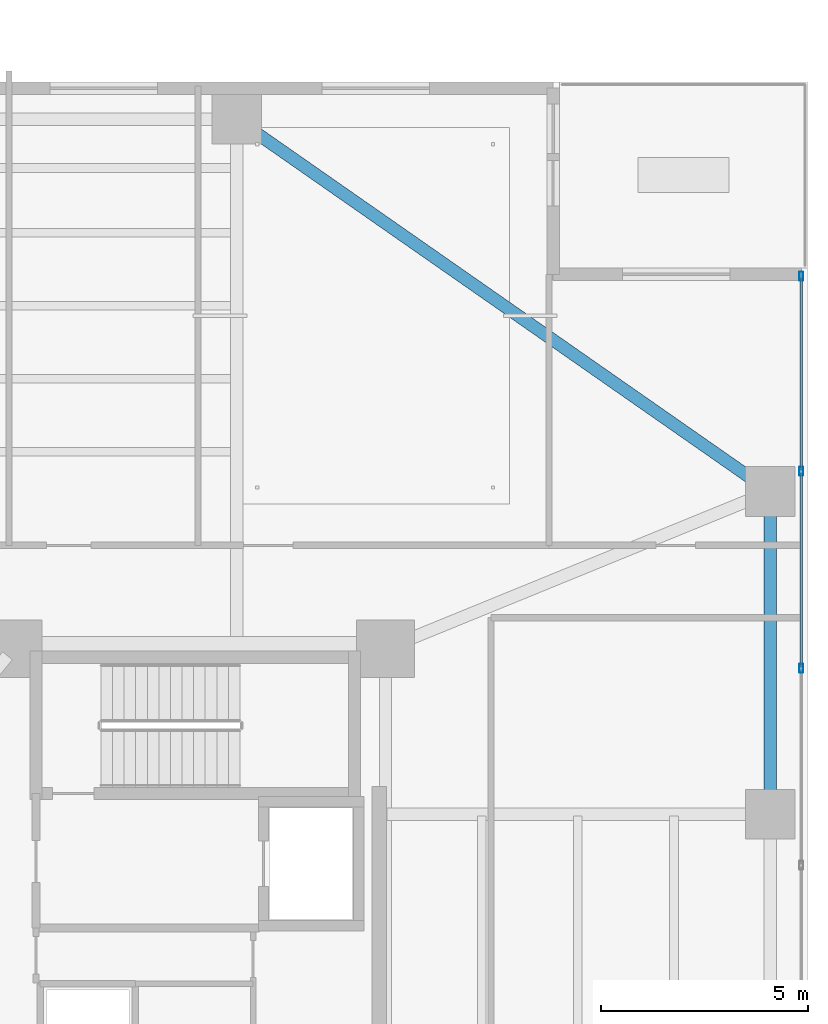
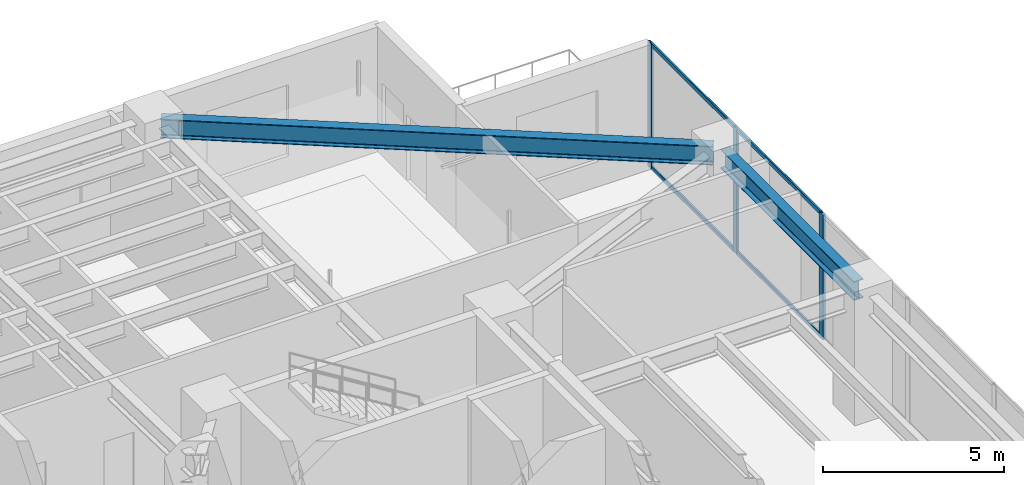
# One storey, part 26 of 40: 7 members, 2 beams, 1 element without a shape of its own.
"""IFC4 building model written with IfcOpenShell, lengths in metres."""

from ifc_helpers import new_model, si_unit, direction, frame, origin, origin_2d, place, context, subcontext, project, spatial, hollow_rectangle, i_section, extrude, material, layer, layer_set, material_profile, profile_set, type_object, element, aggregate, save


model = new_model("IFC4")

# Units and contexts
model_context = context("Model", 3, precision=1e-05, world=origin(), true_north=direction((0.0, 1.0)))
body_context = subcontext(model_context, "Body", "Model", "MODEL_VIEW")
ifc_project = project(units=[si_unit("LENGTHUNIT", "METRE"), si_unit("AREAUNIT", "SQUARE_METRE"), si_unit("VOLUMEUNIT", "CUBIC_METRE"), si_unit("PLANEANGLEUNIT", "RADIAN"), si_unit("MASSUNIT", "GRAM", prefix="KILO")], contexts=[model_context])

# Site, building, storey
site_placement = place(None, origin())
site = spatial("IfcSite", under=ifc_project, at=site_placement, CompositionType="ELEMENT")
building_placement = place(site_placement, origin())
building = spatial("IfcBuilding", under=site, at=building_placement, Name="Tarnavaz Court Tower", CompositionType="ELEMENT")
storey_placement = place(building_placement, frame((0.0, 0.0, 64.199951171875)))
storey = spatial("IfcBuildingStorey", under=building, at=storey_placement, Name="L17", CompositionType="ELEMENT", Elevation=64.199951171875)

# Beams
ifc_material_1 = material(Name="Steel S355", Category="steel")
ifc_material_profile_1 = material_profile(ifc_material_1, i_section(OverallWidth=0.300048828125, OverallDepth=0.639892578125, WebThickness=0.013427734375, FlangeThickness=0.02587890625, FilletRadius=0.027099609375, at=origin_2d()), Name="HEA 650")
ifc_profile_set_1 = profile_set([ifc_material_profile_1], Name="Steel S355")
beam_type = type_object("IfcBeamType", Name="BM-SP-HEA650", PredefinedType="SPANDREL", material=ifc_profile_set_1)
beam_1_placement = place(storey_placement, frame((27.89990234375, 6.219970703125, 3.880126953125), z_axis=(0.0, 1.0, 0.0), x_axis=(-1.0, 0.0, 0.0)))
element("IfcBeam", 1, at=beam_1_placement, inside=storey, type_object=beam_type, Name="L17 Beam PR-PE-3-PE-4", PredefinedType="SPANDREL", context=body_context, shape_type="SweptSolid", body=[
    extrude(i_section(OverallWidth=0.300048828125, OverallDepth=0.639892578125, WebThickness=0.013427734375, FlangeThickness=0.02587890625, FilletRadius=0.027099609375, at=origin_2d()), origin(), (0.0, 0.0, 1.0), 7.360107421875),
])
beam_2_placement = place(storey_placement, frame((15.180419921875, 22.674072265625, 3.880126953125), z_axis=(0.820123643324, -0.572186341729, 0.0), x_axis=(0.572186341729, 0.820123643324, 0.0)))
element("IfcBeam", 2, at=beam_2_placement, inside=storey, type_object=beam_type, Name="L17 Beam PR-PN-4-PE-4", PredefinedType="SPANDREL", context=body_context, shape_type="SweptSolid", body=[
    extrude(i_section(OverallWidth=0.300048828125, OverallDepth=0.639892578125, WebThickness=0.013427734375, FlangeThickness=0.02587890625, FilletRadius=0.027099609375, at=origin_2d()), origin(), (0.0, 0.0, 1.0), 15.289306640625),
])

# Curtain wall, members
ifc_material_2 = material(Name="Anodised Aluminium 6063-T6 and Solar Low-E Glazing", Category="aluminium")
ifc_layer = layer(ifc_material_2, 0.199951171875)
ifc_layer_set = layer_set([ifc_layer], Name="Anodised Aluminium 6063-T6 and Solar Low-E Glazing")
curtain_wall_type = type_object("IfcCurtainWallType", Name="CW-SYS-05", PredefinedType="NOTDEFINED", material=ifc_layer_set)
curtain_wall_placement = place(storey_placement, origin())
curtain_wall = element("IfcCurtainWall", 3, at=curtain_wall_placement, inside=storey, type_object=curtain_wall_type, Name="L17 Sky-Portal Curtain Wall 12", PredefinedType="NOTDEFINED")
ifc_material_3 = material(Name="Anodised Aluminium 6063-T6", Category="aluminium")
ifc_material_profile_2 = material_profile(ifc_material_3, hollow_rectangle(XDim=0.0849609375, YDim=0.219970703125, WallThickness=0.006103515625, InnerFilletRadius=0.006103515625, OuterFilletRadius=0.011962890625, at=origin_2d()), Name="ALU RHS 220X85X6")
ifc_profile_set_2 = profile_set([ifc_material_profile_2], Name="Anodised Aluminium 6063-T6")
member_type_1 = type_object("IfcMemberType", Name="CW-MUL-220", PredefinedType="MULLION", material=ifc_profile_set_2)
member_1_placement = place(storey_placement, frame((28.64990234375, 19.007568359375, 0.0), z_axis=(0.0, 0.0, 1.0), x_axis=(1.0, 0.0, 0.0)))
member_1 = element("IfcMember", 4, at=member_1_placement, type_object=member_type_1, Name="CW mullion 1", PredefinedType="MULLION", context=body_context, shape_type="SweptSolid", body=[
    extrude(hollow_rectangle(XDim=0.0849609375, YDim=0.219970703125, WallThickness=0.006103515625, InnerFilletRadius=0.006103515625, OuterFilletRadius=0.011962890625, at=origin_2d()), origin(), (0.0, 0.0, 1.0), 4.199951171875),
])
member_2_placement = place(storey_placement, frame((28.64990234375, 14.28759765625, 0.0), z_axis=(0.0, 0.0, 1.0), x_axis=(1.0, 0.0, 0.0)))
member_2 = element("IfcMember", 5, at=member_2_placement, type_object=member_type_1, Name="CW mullion 2", PredefinedType="MULLION", context=body_context, shape_type="SweptSolid", body=[
    extrude(hollow_rectangle(XDim=0.0849609375, YDim=0.219970703125, WallThickness=0.006103515625, InnerFilletRadius=0.006103515625, OuterFilletRadius=0.011962890625, at=origin_2d()), origin(), (0.0, 0.0, 1.0), 4.199951171875),
])
member_3_placement = place(storey_placement, frame((28.64990234375, 9.52490234375, 0.0), z_axis=(0.0, 0.0, 1.0), x_axis=(1.0, 0.0, 0.0)))
member_3 = element("IfcMember", 6, at=member_3_placement, type_object=member_type_1, Name="CW mullion 3", PredefinedType="MULLION", context=body_context, shape_type="SweptSolid", body=[
    extrude(hollow_rectangle(XDim=0.0849609375, YDim=0.219970703125, WallThickness=0.006103515625, InnerFilletRadius=0.006103515625, OuterFilletRadius=0.011962890625, at=origin_2d()), origin(), (0.0, 0.0, 1.0), 4.199951171875),
])
ifc_material_profile_3 = material_profile(ifc_material_3, hollow_rectangle(XDim=0.06494140625, YDim=0.139892578125, WallThickness=0.00390625, InnerFilletRadius=0.00390625, OuterFilletRadius=0.008056640625, at=origin_2d()), Name="ALU RHS 140X65X4")
ifc_profile_set_3 = profile_set([ifc_material_profile_3], Name="Anodised Aluminium 6063-T6")
member_type_2 = type_object("IfcMemberType", Name="CW-TRN-140", PredefinedType="USERDEFINED", material=ifc_profile_set_3)
member_4_placement = place(storey_placement, frame((28.64990234375, 18.965087890625, 0.032470703125), z_axis=(0.0, -1.0, 0.0), x_axis=(1.0, 0.0, 0.0)))
member_4 = element("IfcMember", 7, at=member_4_placement, type_object=member_type_2, Name="CW transom 1.1", ObjectType="TRANSOM", PredefinedType="USERDEFINED", context=body_context, shape_type="SweptSolid", body=[
    extrude(hollow_rectangle(XDim=0.06494140625, YDim=0.139892578125, WallThickness=0.00390625, InnerFilletRadius=0.00390625, OuterFilletRadius=0.008056640625, at=origin_2d()), origin(), (0.0, 0.0, 1.0), 4.635009765625),
])
member_5_placement = place(storey_placement, frame((28.64990234375, 18.965087890625, 4.16748046875), z_axis=(0.0, -1.0, 0.0), x_axis=(1.0, 0.0, 0.0)))
member_5 = element("IfcMember", 8, at=member_5_placement, type_object=member_type_2, Name="CW transom 1.2", ObjectType="TRANSOM", PredefinedType="USERDEFINED", context=body_context, shape_type="SweptSolid", body=[
    extrude(hollow_rectangle(XDim=0.06494140625, YDim=0.139892578125, WallThickness=0.00390625, InnerFilletRadius=0.00390625, OuterFilletRadius=0.008056640625, at=origin_2d()), origin(), (0.0, 0.0, 1.0), 4.635009765625),
])
member_6_placement = place(storey_placement, frame((28.64990234375, 14.2451171875, 0.032470703125), z_axis=(0.0, -1.0, 0.0), x_axis=(1.0, 0.0, 0.0)))
member_6 = element("IfcMember", 9, at=member_6_placement, type_object=member_type_2, Name="CW transom 2.1", ObjectType="TRANSOM", PredefinedType="USERDEFINED", context=body_context, shape_type="SweptSolid", body=[
    extrude(hollow_rectangle(XDim=0.06494140625, YDim=0.139892578125, WallThickness=0.00390625, InnerFilletRadius=0.00390625, OuterFilletRadius=0.008056640625, at=origin_2d()), origin(), (0.0, 0.0, 1.0), 4.677734375),
])
member_7_placement = place(storey_placement, frame((28.64990234375, 14.2451171875, 4.16748046875), z_axis=(0.0, -1.0, 0.0), x_axis=(1.0, 0.0, 0.0)))
member_7 = element("IfcMember", 10, at=member_7_placement, type_object=member_type_2, Name="CW transom 2.2", ObjectType="TRANSOM", PredefinedType="USERDEFINED", context=body_context, shape_type="SweptSolid", body=[
    extrude(hollow_rectangle(XDim=0.06494140625, YDim=0.139892578125, WallThickness=0.00390625, InnerFilletRadius=0.00390625, OuterFilletRadius=0.008056640625, at=origin_2d()), origin(), (0.0, 0.0, 1.0), 4.677734375),
])
aggregate(curtain_wall, [member_1, member_2, member_3, member_4, member_5, member_6, member_7])

save(model, "model.ifc")
